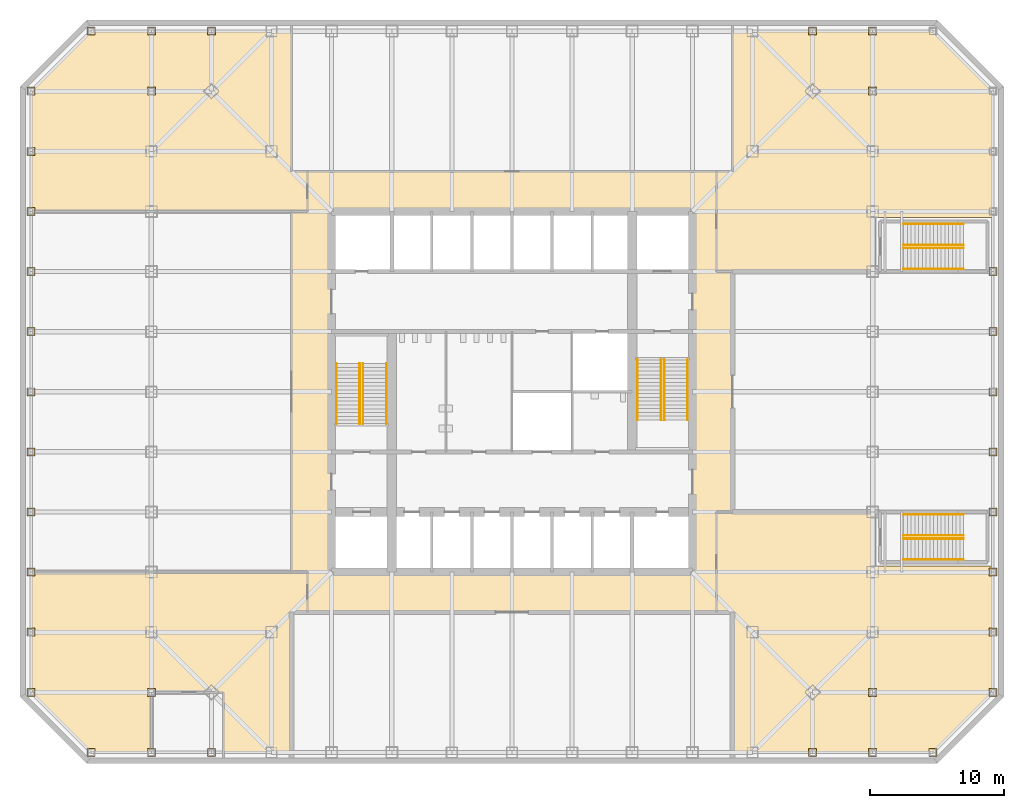
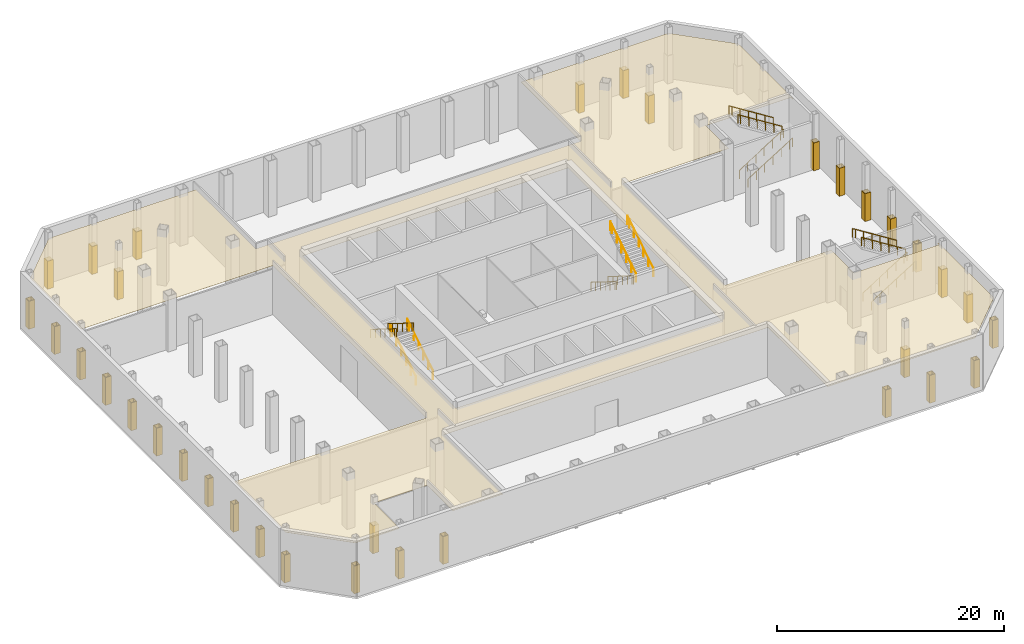
# One storey, part 10 of 12: 35 coverings, 16 railings.
"""IFC4 building model written with IfcOpenShell, lengths in metres."""

from ifc_helpers import new_model, si_unit, direction, frame, origin, origin_2d, place, context, subcontext, project, spatial, polyline, circle, outline, extrude, material, layer, layer_set, type_object, element, save


model = new_model("IFC4")

# Units and contexts
model_context = context("Model", 3, precision=1e-05, world=origin(), true_north=direction((0.0, 1.0)))
body_context = subcontext(model_context, "Body", "Model", "MODEL_VIEW")
ifc_project = project(units=[si_unit("LENGTHUNIT", "METRE"), si_unit("AREAUNIT", "SQUARE_METRE"), si_unit("VOLUMEUNIT", "CUBIC_METRE"), si_unit("PLANEANGLEUNIT", "RADIAN"), si_unit("MASSUNIT", "GRAM", prefix="KILO")], contexts=[model_context])

# Site, building, storey
site_placement = place(None, origin())
site = spatial("IfcSite", under=ifc_project, at=site_placement, CompositionType="ELEMENT")
building_placement = place(site_placement, origin())
building = spatial("IfcBuilding", under=site, at=building_placement, Name="Corais Broadcast Tower", CompositionType="ELEMENT")
storey_placement = place(building_placement, frame((0.0, 0.0, 6.0)))
storey = spatial("IfcBuildingStorey", under=building, at=storey_placement, Name="L01", CompositionType="ELEMENT", Elevation=6.0)

# Railings
ifc_material_1 = material(Name="Stainless steel handrail", Category="steel")
railing_type = type_object("IfcRailingType", Name="Handrail 920", PredefinedType="HANDRAIL", material=ifc_material_1)
for number, where, name in (
    (1, (17.60009765625, 24.60009765625, 0.176513671875), "HR1 L01"),
    (2, (15.85009765625, 24.60009765625, 0.176513671875), "HR1 L01"),
):
    element("IfcRailing", number, at=place(storey_placement, frame(where)), inside=storey, type_object=railing_type, Name=name, PredefinedType="HANDRAIL", context=body_context, shape_type="SweptSolid", body=[
        extrude(circle(Radius=0.02392578125, at=origin_2d()), frame((0.0, 0.0, 0.89599609375), z_axis=(0.0, 0.847701827889, 0.530473006847), x_axis=(-1.0, 0.0, 0.0)), (0.0, 0.0, 1.0), 5.322509765625),
        extrude(circle(Radius=0.02099609375, at=origin_2d()), origin(), (0.0, 0.0, 1.0), 0.871826171875),
        extrude(circle(Radius=0.02099609375, at=origin_2d()), frame((0.0, 0.845947265625, 0.529296875)), (0.0, 0.0, 1.0), 0.871826171875),
        extrude(circle(Radius=0.02099609375, at=origin_2d()), frame((0.0, 1.69189453125, 1.058837890625)), (0.0, 0.0, 1.0), 0.871826171875),
        extrude(circle(Radius=0.02099609375, at=origin_2d()), frame((0.0, 2.5380859375, 1.588134765625)), (0.0, 0.0, 1.0), 0.871826171875),
        extrude(circle(Radius=0.02099609375, at=origin_2d()), frame((0.0, 3.384033203125, 2.11767578125)), (0.0, 0.0, 1.0), 0.871826171875),
        extrude(circle(Radius=0.02099609375, at=origin_2d()), frame((0.0, 4.22998046875, 2.64697265625)), (0.0, 0.0, 1.0), 0.871826171875),
        extrude(circle(Radius=0.02099609375, at=origin_2d()), frame((0.0, 4.511962890625, 2.823486328125)), (0.0, 0.0, 1.0), 0.871826171875),
    ])
for number, where, name in (
    (3, (13.85009765625, 29.112060546875, 3.176513671875), "HR1 L01"),
    (4, (15.60009765625, 29.112060546875, 3.176513671875), "HR1 L01"),
    (5, (36.39990234375, 29.39990234375, 0.176513671875), "HR1 L01"),
    (6, (38.14990234375, 29.39990234375, 0.176513671875), "HR1 L01"),
):
    element("IfcRailing", number, at=place(storey_placement, frame(where)), inside=storey, type_object=railing_type, Name=name, PredefinedType="HANDRAIL", context=body_context, shape_type="SweptSolid", body=[
        extrude(circle(Radius=0.02392578125, at=origin_2d()), frame((0.0, 0.0, 0.89599609375), z_axis=(0.0, -0.847701827889, 0.530473006847), x_axis=(1.0, 0.0, 0.0)), (0.0, 0.0, 1.0), 5.322509765625),
        extrude(circle(Radius=0.02099609375, at=origin_2d()), origin(), (0.0, 0.0, 1.0), 0.871826171875),
        extrude(circle(Radius=0.02099609375, at=origin_2d()), frame((0.0, -0.845947265625, 0.529296875)), (0.0, 0.0, 1.0), 0.871826171875),
        extrude(circle(Radius=0.02099609375, at=origin_2d()), frame((0.0, -1.69189453125, 1.058837890625)), (0.0, 0.0, 1.0), 0.871826171875),
        extrude(circle(Radius=0.02099609375, at=origin_2d()), frame((0.0, -2.5380859375, 1.588134765625)), (0.0, 0.0, 1.0), 0.871826171875),
        extrude(circle(Radius=0.02099609375, at=origin_2d()), frame((0.0, -3.384033203125, 2.11767578125)), (0.0, 0.0, 1.0), 0.871826171875),
        extrude(circle(Radius=0.02099609375, at=origin_2d()), frame((0.0, -4.22998046875, 2.64697265625)), (0.0, 0.0, 1.0), 0.871826171875),
        extrude(circle(Radius=0.02099609375, at=origin_2d()), frame((0.0, -4.511962890625, 2.823486328125)), (0.0, 0.0, 1.0), 0.871826171875),
    ])
for number, where, name in (
    (7, (40.14990234375, 24.887939453125, 3.176513671875), "HR1 L01"),
    (8, (38.39990234375, 24.887939453125, 3.176513671875), "HR1 L01"),
):
    element("IfcRailing", number, at=place(storey_placement, frame(where)), inside=storey, type_object=railing_type, Name=name, PredefinedType="HANDRAIL", context=body_context, shape_type="SweptSolid", body=[
        extrude(circle(Radius=0.02392578125, at=origin_2d()), frame((0.0, 0.0, 0.89599609375), z_axis=(0.0, 0.847701827889, 0.530473006847), x_axis=(-1.0, 0.0, 0.0)), (0.0, 0.0, 1.0), 5.322509765625),
        extrude(circle(Radius=0.02099609375, at=origin_2d()), origin(), (0.0, 0.0, 1.0), 0.871826171875),
        extrude(circle(Radius=0.02099609375, at=origin_2d()), frame((0.0, 0.845947265625, 0.529296875)), (0.0, 0.0, 1.0), 0.871826171875),
        extrude(circle(Radius=0.02099609375, at=origin_2d()), frame((0.0, 1.69189453125, 1.058837890625)), (0.0, 0.0, 1.0), 0.871826171875),
        extrude(circle(Radius=0.02099609375, at=origin_2d()), frame((0.0, 2.5380859375, 1.588134765625)), (0.0, 0.0, 1.0), 0.871826171875),
        extrude(circle(Radius=0.02099609375, at=origin_2d()), frame((0.0, 3.384033203125, 2.11767578125)), (0.0, 0.0, 1.0), 0.871826171875),
        extrude(circle(Radius=0.02099609375, at=origin_2d()), frame((0.0, 4.22998046875, 2.64697265625)), (0.0, 0.0, 1.0), 0.871826171875),
        extrude(circle(Radius=0.02099609375, at=origin_2d()), frame((0.0, 4.511962890625, 2.823486328125)), (0.0, 0.0, 1.0), 0.871826171875),
    ])
for number, where, name in (
    (9, (56.324951171875, 14.449951171875, 0.176513671875), "HR1 L01"),
    (10, (56.324951171875, 16.0, 0.176513671875), "HR1 L01"),
):
    element("IfcRailing", number, at=place(storey_placement, frame(where)), inside=storey, type_object=railing_type, Name=name, PredefinedType="HANDRAIL", context=body_context, shape_type="SweptSolid", body=[
        extrude(circle(Radius=0.02392578125, at=origin_2d()), frame((0.0, 0.0, 0.89599609375), z_axis=(0.845997938375, 0.0, 0.533186166611), x_axis=(0.0, 1.0, 0.0)), (0.0, 0.0, 1.0), 5.29541015625),
        extrude(circle(Radius=0.02099609375, at=origin_2d()), origin(), (0.0, 0.0, 1.0), 0.871826171875),
        extrude(circle(Radius=0.02099609375, at=origin_2d()), frame((0.840087890625, 0.0, 0.529296875)), (0.0, 0.0, 1.0), 0.871826171875),
        extrude(circle(Radius=0.02099609375, at=origin_2d()), frame((1.679931640625, 0.0, 1.058837890625)), (0.0, 0.0, 1.0), 0.871826171875),
        extrude(circle(Radius=0.02099609375, at=origin_2d()), frame((2.52001953125, 0.0, 1.588134765625)), (0.0, 0.0, 1.0), 0.871826171875),
        extrude(circle(Radius=0.02099609375, at=origin_2d()), frame((3.35986328125, 0.0, 2.11767578125)), (0.0, 0.0, 1.0), 0.871826171875),
        extrude(circle(Radius=0.02099609375, at=origin_2d()), frame((4.199951171875, 0.0, 2.64697265625)), (0.0, 0.0, 1.0), 0.871826171875),
        extrude(circle(Radius=0.02099609375, at=origin_2d()), frame((4.47998046875, 0.0, 2.823486328125)), (0.0, 0.0, 1.0), 0.871826171875),
    ])
for number, where, name in (
    (11, (60.804931640625, 17.800048828125, 3.176513671875), "HR1 L01"),
    (12, (60.804931640625, 16.25, 3.176513671875), "HR1 L01"),
):
    element("IfcRailing", number, at=place(storey_placement, frame(where)), inside=storey, type_object=railing_type, Name=name, PredefinedType="HANDRAIL", context=body_context, shape_type="SweptSolid", body=[
        extrude(circle(Radius=0.02392578125, at=origin_2d()), frame((0.0, 0.0, 0.89599609375), z_axis=(-0.845997938375, 0.0, 0.533186166611), x_axis=(0.0, -1.0, 0.0)), (0.0, 0.0, 1.0), 5.29541015625),
        extrude(circle(Radius=0.02099609375, at=origin_2d()), origin(), (0.0, 0.0, 1.0), 0.871826171875),
        extrude(circle(Radius=0.02099609375, at=origin_2d()), frame((-0.840087890625, 0.0, 0.529296875)), (0.0, 0.0, 1.0), 0.871826171875),
        extrude(circle(Radius=0.02099609375, at=origin_2d()), frame((-1.679931640625, 0.0, 1.058837890625)), (0.0, 0.0, 1.0), 0.871826171875),
        extrude(circle(Radius=0.02099609375, at=origin_2d()), frame((-2.52001953125, 0.0, 1.588134765625)), (0.0, 0.0, 1.0), 0.871826171875),
        extrude(circle(Radius=0.02099609375, at=origin_2d()), frame((-3.35986328125, 0.0, 2.11767578125)), (0.0, 0.0, 1.0), 0.871826171875),
        extrude(circle(Radius=0.02099609375, at=origin_2d()), frame((-4.199951171875, 0.0, 2.64697265625)), (0.0, 0.0, 1.0), 0.871826171875),
        extrude(circle(Radius=0.02099609375, at=origin_2d()), frame((-4.47998046875, 0.0, 2.823486328125)), (0.0, 0.0, 1.0), 0.871826171875),
    ])
for number, where, name in (
    (13, (56.324951171875, 36.199951171875, 0.176513671875), "HR1 L01"),
    (14, (56.324951171875, 37.75, 0.176513671875), "HR1 L01"),
):
    element("IfcRailing", number, at=place(storey_placement, frame(where)), inside=storey, type_object=railing_type, Name=name, PredefinedType="HANDRAIL", context=body_context, shape_type="SweptSolid", body=[
        extrude(circle(Radius=0.02392578125, at=origin_2d()), frame((0.0, 0.0, 0.89599609375), z_axis=(0.845997938375, 0.0, 0.533186166611), x_axis=(0.0, 1.0, 0.0)), (0.0, 0.0, 1.0), 5.29541015625),
        extrude(circle(Radius=0.02099609375, at=origin_2d()), origin(), (0.0, 0.0, 1.0), 0.871826171875),
        extrude(circle(Radius=0.02099609375, at=origin_2d()), frame((0.840087890625, 0.0, 0.529296875)), (0.0, 0.0, 1.0), 0.871826171875),
        extrude(circle(Radius=0.02099609375, at=origin_2d()), frame((1.679931640625, 0.0, 1.058837890625)), (0.0, 0.0, 1.0), 0.871826171875),
        extrude(circle(Radius=0.02099609375, at=origin_2d()), frame((2.52001953125, 0.0, 1.588134765625)), (0.0, 0.0, 1.0), 0.871826171875),
        extrude(circle(Radius=0.02099609375, at=origin_2d()), frame((3.35986328125, 0.0, 2.11767578125)), (0.0, 0.0, 1.0), 0.871826171875),
        extrude(circle(Radius=0.02099609375, at=origin_2d()), frame((4.199951171875, 0.0, 2.64697265625)), (0.0, 0.0, 1.0), 0.871826171875),
        extrude(circle(Radius=0.02099609375, at=origin_2d()), frame((4.47998046875, 0.0, 2.823486328125)), (0.0, 0.0, 1.0), 0.871826171875),
    ])
for number, where, name in (
    (15, (60.804931640625, 39.550048828125, 3.176513671875), "HR1 L01"),
    (16, (60.804931640625, 38.0, 3.176513671875), "HR1 L01"),
):
    element("IfcRailing", number, at=place(storey_placement, frame(where)), inside=storey, type_object=railing_type, Name=name, PredefinedType="HANDRAIL", context=body_context, shape_type="SweptSolid", body=[
        extrude(circle(Radius=0.02392578125, at=origin_2d()), frame((0.0, 0.0, 0.89599609375), z_axis=(-0.845997938375, 0.0, 0.533186166611), x_axis=(0.0, -1.0, 0.0)), (0.0, 0.0, 1.0), 5.29541015625),
        extrude(circle(Radius=0.02099609375, at=origin_2d()), origin(), (0.0, 0.0, 1.0), 0.871826171875),
        extrude(circle(Radius=0.02099609375, at=origin_2d()), frame((-0.840087890625, 0.0, 0.529296875)), (0.0, 0.0, 1.0), 0.871826171875),
        extrude(circle(Radius=0.02099609375, at=origin_2d()), frame((-1.679931640625, 0.0, 1.058837890625)), (0.0, 0.0, 1.0), 0.871826171875),
        extrude(circle(Radius=0.02099609375, at=origin_2d()), frame((-2.52001953125, 0.0, 1.588134765625)), (0.0, 0.0, 1.0), 0.871826171875),
        extrude(circle(Radius=0.02099609375, at=origin_2d()), frame((-3.35986328125, 0.0, 2.11767578125)), (0.0, 0.0, 1.0), 0.871826171875),
        extrude(circle(Radius=0.02099609375, at=origin_2d()), frame((-4.199951171875, 0.0, 2.64697265625)), (0.0, 0.0, 1.0), 0.871826171875),
        extrude(circle(Radius=0.02099609375, at=origin_2d()), frame((-4.47998046875, 0.0, 2.823486328125)), (0.0, 0.0, 1.0), 0.871826171875),
    ])

# Coverings
ifc_material_2 = material(Name="Granite stone cladding", Category="masonry")
ifc_layer_1 = layer(ifc_material_2, 0.050048828125)
ifc_layer_set_1 = layer_set([ifc_layer_1], Name="Granite stone cladding")
covering_type_1 = type_object("IfcCoveringType", Name="Pier cladding", PredefinedType="CLADDING", material=ifc_layer_set_1)
covering_1_placement = place(storey_placement, origin())
element("IfcCovering", 17, at=covering_1_placement, inside=storey, type_object=covering_type_1, Name="PC pier cladding L01", PredefinedType="CLADDING", context=body_context, shape_type="SweptSolid", body=[
    extrude(outline(polyline([(-9.300048828125, 4.199951171875), (-8.699951171875, 4.199951171875), (-8.699951171875, 4.800048828125), (-9.300048828125, 4.800048828125), (-9.300048828125, 4.199951171875)]), holes=[polyline([(-9.25, 4.25), (-8.75, 4.25), (-8.75, 4.75), (-9.25, 4.75), (-9.25, 4.25)])]), origin(), (0.0, 0.0, 1.0), 3.0),
])
covering_2_placement = place(storey_placement, origin())
element("IfcCovering", 18, at=covering_2_placement, inside=storey, type_object=covering_type_1, Name="PC pier cladding L01", PredefinedType="CLADDING", context=body_context, shape_type="SweptSolid", body=[
    extrude(outline(polyline([(62.699951171875, 4.199951171875), (63.300048828125, 4.199951171875), (63.300048828125, 4.800048828125), (62.699951171875, 4.800048828125), (62.699951171875, 4.199951171875)]), holes=[polyline([(62.75, 4.25), (63.25, 4.25), (63.25, 4.75), (62.75, 4.75), (62.75, 4.25)])]), origin(), (0.0, 0.0, 1.0), 3.0),
])
covering_3_placement = place(storey_placement, origin())
element("IfcCovering", 19, at=covering_3_placement, inside=storey, type_object=covering_type_1, Name="PC pier cladding L01", PredefinedType="CLADDING", context=body_context, shape_type="SweptSolid", body=[
    extrude(outline(polyline([(-9.300048828125, 8.699951171875), (-8.699951171875, 8.699951171875), (-8.699951171875, 9.300048828125), (-9.300048828125, 9.300048828125), (-9.300048828125, 8.699951171875)]), holes=[polyline([(-9.25, 8.75), (-8.75, 8.75), (-8.75, 9.25), (-9.25, 9.25), (-9.25, 8.75)])]), origin(), (0.0, 0.0, 1.0), 3.0),
])
covering_4_placement = place(storey_placement, origin())
element("IfcCovering", 20, at=covering_4_placement, inside=storey, type_object=covering_type_1, Name="PC pier cladding L01", PredefinedType="CLADDING", context=body_context, shape_type="SweptSolid", body=[
    extrude(outline(polyline([(62.699951171875, 8.699951171875), (63.300048828125, 8.699951171875), (63.300048828125, 9.300048828125), (62.699951171875, 9.300048828125), (62.699951171875, 8.699951171875)]), holes=[polyline([(62.75, 8.75), (63.25, 8.75), (63.25, 9.25), (62.75, 9.25), (62.75, 8.75)])]), origin(), (0.0, 0.0, 1.0), 3.0),
])
covering_5_placement = place(storey_placement, origin())
element("IfcCovering", 21, at=covering_5_placement, inside=storey, type_object=covering_type_1, Name="PC pier cladding L01", PredefinedType="CLADDING", context=body_context, shape_type="SweptSolid", body=[
    extrude(outline(polyline([(-9.300048828125, 13.199951171875), (-8.699951171875, 13.199951171875), (-8.699951171875, 13.800048828125), (-9.300048828125, 13.800048828125), (-9.300048828125, 13.199951171875)]), holes=[polyline([(-9.25, 13.25), (-8.75, 13.25), (-8.75, 13.75), (-9.25, 13.75), (-9.25, 13.25)])]), origin(), (0.0, 0.0, 1.0), 3.0),
])
covering_6_placement = place(storey_placement, origin())
element("IfcCovering", 22, at=covering_6_placement, inside=storey, type_object=covering_type_1, Name="PC pier cladding L01", PredefinedType="CLADDING", context=body_context, shape_type="SweptSolid", body=[
    extrude(outline(polyline([(62.699951171875, 13.199951171875), (63.300048828125, 13.199951171875), (63.300048828125, 13.800048828125), (62.699951171875, 13.800048828125), (62.699951171875, 13.199951171875)]), holes=[polyline([(62.75, 13.25), (63.25, 13.25), (63.25, 13.75), (62.75, 13.75), (62.75, 13.25)])]), origin(), (0.0, 0.0, 1.0), 3.0),
])
covering_7_placement = place(storey_placement, origin())
element("IfcCovering", 23, at=covering_7_placement, inside=storey, type_object=covering_type_1, Name="PC pier cladding L01", PredefinedType="CLADDING", context=body_context, shape_type="SweptSolid", body=[
    extrude(outline(polyline([(-9.300048828125, 17.699951171875), (-8.699951171875, 17.699951171875), (-8.699951171875, 18.300048828125), (-9.300048828125, 18.300048828125), (-9.300048828125, 17.699951171875)]), holes=[polyline([(-9.25, 17.75), (-8.75, 17.75), (-8.75, 18.25), (-9.25, 18.25), (-9.25, 17.75)])]), origin(), (0.0, 0.0, 1.0), 3.0),
])
covering_8_placement = place(storey_placement, origin())
element("IfcCovering", 24, at=covering_8_placement, inside=storey, type_object=covering_type_1, Name="PC pier cladding L01", PredefinedType="CLADDING", context=body_context, shape_type="SweptSolid", body=[
    extrude(outline(polyline([(62.699951171875, 17.699951171875), (63.300048828125, 17.699951171875), (63.300048828125, 18.300048828125), (62.699951171875, 18.300048828125), (62.699951171875, 17.699951171875)]), holes=[polyline([(62.75, 17.75), (63.25, 17.75), (63.25, 18.25), (62.75, 18.25), (62.75, 17.75)])]), origin(), (0.0, 0.0, 1.0), 3.0),
])
covering_9_placement = place(storey_placement, origin())
element("IfcCovering", 25, at=covering_9_placement, inside=storey, type_object=covering_type_1, Name="PC pier cladding L01", PredefinedType="CLADDING", context=body_context, shape_type="SweptSolid", body=[
    extrude(outline(polyline([(-9.300048828125, 22.199951171875), (-8.699951171875, 22.199951171875), (-8.699951171875, 22.800048828125), (-9.300048828125, 22.800048828125), (-9.300048828125, 22.199951171875)]), holes=[polyline([(-9.25, 22.25), (-8.75, 22.25), (-8.75, 22.75), (-9.25, 22.75), (-9.25, 22.25)])]), origin(), (0.0, 0.0, 1.0), 3.0),
])
covering_10_placement = place(storey_placement, origin())
element("IfcCovering", 26, at=covering_10_placement, inside=storey, type_object=covering_type_1, Name="PC pier cladding L01", PredefinedType="CLADDING", context=body_context, shape_type="SweptSolid", body=[
    extrude(outline(polyline([(62.699951171875, 22.199951171875), (63.300048828125, 22.199951171875), (63.300048828125, 22.800048828125), (62.699951171875, 22.800048828125), (62.699951171875, 22.199951171875)]), holes=[polyline([(62.75, 22.25), (63.25, 22.25), (63.25, 22.75), (62.75, 22.75), (62.75, 22.25)])]), origin(), (0.0, 0.0, 1.0), 3.0),
])
covering_11_placement = place(storey_placement, origin())
element("IfcCovering", 27, at=covering_11_placement, inside=storey, type_object=covering_type_1, Name="PC pier cladding L01", PredefinedType="CLADDING", context=body_context, shape_type="SweptSolid", body=[
    extrude(outline(polyline([(-9.300048828125, 26.699951171875), (-8.699951171875, 26.699951171875), (-8.699951171875, 27.300048828125), (-9.300048828125, 27.300048828125), (-9.300048828125, 26.699951171875)]), holes=[polyline([(-9.25, 26.75), (-8.75, 26.75), (-8.75, 27.25), (-9.25, 27.25), (-9.25, 26.75)])]), origin(), (0.0, 0.0, 1.0), 3.0),
])
covering_12_placement = place(storey_placement, origin())
element("IfcCovering", 28, at=covering_12_placement, inside=storey, type_object=covering_type_1, Name="PC pier cladding L01", PredefinedType="CLADDING", context=body_context, shape_type="SweptSolid", body=[
    extrude(outline(polyline([(62.699951171875, 26.699951171875), (63.300048828125, 26.699951171875), (63.300048828125, 27.300048828125), (62.699951171875, 27.300048828125), (62.699951171875, 26.699951171875)]), holes=[polyline([(62.75, 26.75), (63.25, 26.75), (63.25, 27.25), (62.75, 27.25), (62.75, 26.75)])]), origin(), (0.0, 0.0, 1.0), 3.0),
])
covering_13_placement = place(storey_placement, origin())
element("IfcCovering", 29, at=covering_13_placement, inside=storey, type_object=covering_type_1, Name="PC pier cladding L01", PredefinedType="CLADDING", context=body_context, shape_type="SweptSolid", body=[
    extrude(outline(polyline([(-9.300048828125, 31.199951171875), (-8.699951171875, 31.199951171875), (-8.699951171875, 31.800048828125), (-9.300048828125, 31.800048828125), (-9.300048828125, 31.199951171875)]), holes=[polyline([(-9.25, 31.25), (-8.75, 31.25), (-8.75, 31.75), (-9.25, 31.75), (-9.25, 31.25)])]), origin(), (0.0, 0.0, 1.0), 3.0),
])
covering_14_placement = place(storey_placement, origin())
element("IfcCovering", 30, at=covering_14_placement, inside=storey, type_object=covering_type_1, Name="PC pier cladding L01", PredefinedType="CLADDING", context=body_context, shape_type="SweptSolid", body=[
    extrude(outline(polyline([(62.699951171875, 31.199951171875), (63.300048828125, 31.199951171875), (63.300048828125, 31.800048828125), (62.699951171875, 31.800048828125), (62.699951171875, 31.199951171875)]), holes=[polyline([(62.75, 31.25), (63.25, 31.25), (63.25, 31.75), (62.75, 31.75), (62.75, 31.25)])]), origin(), (0.0, 0.0, 1.0), 3.0),
])
covering_15_placement = place(storey_placement, origin())
element("IfcCovering", 31, at=covering_15_placement, inside=storey, type_object=covering_type_1, Name="PC pier cladding L01", PredefinedType="CLADDING", context=body_context, shape_type="SweptSolid", body=[
    extrude(outline(polyline([(-9.300048828125, 35.699951171875), (-8.699951171875, 35.699951171875), (-8.699951171875, 36.300048828125), (-9.300048828125, 36.300048828125), (-9.300048828125, 35.699951171875)]), holes=[polyline([(-9.25, 35.75), (-8.75, 35.75), (-8.75, 36.25), (-9.25, 36.25), (-9.25, 35.75)])]), origin(), (0.0, 0.0, 1.0), 3.0),
])
covering_16_placement = place(storey_placement, origin())
element("IfcCovering", 32, at=covering_16_placement, inside=storey, type_object=covering_type_1, Name="PC pier cladding L01", PredefinedType="CLADDING", context=body_context, shape_type="SweptSolid", body=[
    extrude(outline(polyline([(62.699951171875, 35.699951171875), (63.300048828125, 35.699951171875), (63.300048828125, 36.300048828125), (62.699951171875, 36.300048828125), (62.699951171875, 35.699951171875)]), holes=[polyline([(62.75, 35.75), (63.25, 35.75), (63.25, 36.25), (62.75, 36.25), (62.75, 35.75)])]), origin(), (0.0, 0.0, 1.0), 3.0),
])
covering_17_placement = place(storey_placement, origin())
element("IfcCovering", 33, at=covering_17_placement, inside=storey, type_object=covering_type_1, Name="PC pier cladding L01", PredefinedType="CLADDING", context=body_context, shape_type="SweptSolid", body=[
    extrude(outline(polyline([(-9.300048828125, 40.199951171875), (-8.699951171875, 40.199951171875), (-8.699951171875, 40.800048828125), (-9.300048828125, 40.800048828125), (-9.300048828125, 40.199951171875)]), holes=[polyline([(-9.25, 40.25), (-8.75, 40.25), (-8.75, 40.75), (-9.25, 40.75), (-9.25, 40.25)])]), origin(), (0.0, 0.0, 1.0), 3.0),
])
covering_18_placement = place(storey_placement, origin())
element("IfcCovering", 34, at=covering_18_placement, inside=storey, type_object=covering_type_1, Name="PC pier cladding L01", PredefinedType="CLADDING", context=body_context, shape_type="SweptSolid", body=[
    extrude(outline(polyline([(-9.300048828125, 44.699951171875), (-8.699951171875, 44.699951171875), (-8.699951171875, 45.300048828125), (-9.300048828125, 45.300048828125), (-9.300048828125, 44.699951171875)]), holes=[polyline([(-9.25, 44.75), (-8.75, 44.75), (-8.75, 45.25), (-9.25, 45.25), (-9.25, 44.75)])]), origin(), (0.0, 0.0, 1.0), 3.0),
])
covering_19_placement = place(storey_placement, origin())
element("IfcCovering", 35, at=covering_19_placement, inside=storey, type_object=covering_type_1, Name="PC pier cladding L01", PredefinedType="CLADDING", context=body_context, shape_type="SweptSolid", body=[
    extrude(outline(polyline([(-9.300048828125, 49.199951171875), (-8.699951171875, 49.199951171875), (-8.699951171875, 49.800048828125), (-9.300048828125, 49.800048828125), (-9.300048828125, 49.199951171875)]), holes=[polyline([(-9.25, 49.25), (-8.75, 49.25), (-8.75, 49.75), (-9.25, 49.75), (-9.25, 49.25)])]), origin(), (0.0, 0.0, 1.0), 3.0),
])
covering_20_placement = place(storey_placement, origin())
element("IfcCovering", 36, at=covering_20_placement, inside=storey, type_object=covering_type_1, Name="PC pier cladding L01", PredefinedType="CLADDING", context=body_context, shape_type="SweptSolid", body=[
    extrude(outline(polyline([(-4.800048828125, -0.300048828125), (-4.199951171875, -0.300048828125), (-4.199951171875, 0.300048828125), (-4.800048828125, 0.300048828125), (-4.800048828125, -0.300048828125)]), holes=[polyline([(-4.75, -0.25), (-4.25, -0.25), (-4.25, 0.25), (-4.75, 0.25), (-4.75, -0.25)])]), origin(), (0.0, 0.0, 1.0), 3.0),
])
covering_21_placement = place(storey_placement, origin())
element("IfcCovering", 37, at=covering_21_placement, inside=storey, type_object=covering_type_1, Name="PC pier cladding L01", PredefinedType="CLADDING", context=body_context, shape_type="SweptSolid", body=[
    extrude(outline(polyline([(-4.800048828125, 53.699951171875), (-4.199951171875, 53.699951171875), (-4.199951171875, 54.300048828125), (-4.800048828125, 54.300048828125), (-4.800048828125, 53.699951171875)]), holes=[polyline([(-4.75, 53.75), (-4.25, 53.75), (-4.25, 54.25), (-4.75, 54.25), (-4.75, 53.75)])]), origin(), (0.0, 0.0, 1.0), 3.0),
])
covering_22_placement = place(storey_placement, origin())
element("IfcCovering", 38, at=covering_22_placement, inside=storey, type_object=covering_type_1, Name="PC pier cladding L01", PredefinedType="CLADDING", context=body_context, shape_type="SweptSolid", body=[
    extrude(outline(polyline([(58.199951171875, -0.300048828125), (58.800048828125, -0.300048828125), (58.800048828125, 0.300048828125), (58.199951171875, 0.300048828125), (58.199951171875, -0.300048828125)]), holes=[polyline([(58.25, -0.25), (58.75, -0.25), (58.75, 0.25), (58.25, 0.25), (58.25, -0.25)])]), origin(), (0.0, 0.0, 1.0), 3.0),
])
covering_23_placement = place(storey_placement, origin())
element("IfcCovering", 39, at=covering_23_placement, inside=storey, type_object=covering_type_1, Name="PC pier cladding L01", PredefinedType="CLADDING", context=body_context, shape_type="SweptSolid", body=[
    extrude(outline(polyline([(-0.300048828125, -0.300048828125), (0.300048828125, -0.300048828125), (0.300048828125, 0.300048828125), (-0.300048828125, 0.300048828125), (-0.300048828125, -0.300048828125)]), holes=[polyline([(-0.25, -0.25), (0.25, -0.25), (0.25, 0.25), (-0.25, 0.25), (-0.25, -0.25)])]), origin(), (0.0, 0.0, 1.0), 3.0),
])
covering_24_placement = place(storey_placement, origin())
element("IfcCovering", 40, at=covering_24_placement, inside=storey, type_object=covering_type_1, Name="PC pier cladding L01", PredefinedType="CLADDING", context=body_context, shape_type="SweptSolid", body=[
    extrude(outline(polyline([(4.199951171875, -0.300048828125), (4.800048828125, -0.300048828125), (4.800048828125, 0.300048828125), (4.199951171875, 0.300048828125), (4.199951171875, -0.300048828125)]), holes=[polyline([(4.25, -0.25), (4.75, -0.25), (4.75, 0.25), (4.25, 0.25), (4.25, -0.25)])]), origin(), (0.0, 0.0, 1.0), 3.0),
])
covering_25_placement = place(storey_placement, origin())
element("IfcCovering", 41, at=covering_25_placement, inside=storey, type_object=covering_type_1, Name="PC pier cladding L01", PredefinedType="CLADDING", context=body_context, shape_type="SweptSolid", body=[
    extrude(outline(polyline([(-0.300048828125, 4.199951171875), (0.300048828125, 4.199951171875), (0.300048828125, 4.800048828125), (-0.300048828125, 4.800048828125), (-0.300048828125, 4.199951171875)]), holes=[polyline([(-0.25, 4.25), (0.25, 4.25), (0.25, 4.75), (-0.25, 4.75), (-0.25, 4.25)])]), origin(), (0.0, 0.0, 1.0), 3.0),
])
covering_26_placement = place(storey_placement, origin())
element("IfcCovering", 42, at=covering_26_placement, inside=storey, type_object=covering_type_1, Name="PC pier cladding L01", PredefinedType="CLADDING", context=body_context, shape_type="SweptSolid", body=[
    extrude(outline(polyline([(53.699951171875, -0.300048828125), (54.300048828125, -0.300048828125), (54.300048828125, 0.300048828125), (53.699951171875, 0.300048828125), (53.699951171875, -0.300048828125)]), holes=[polyline([(53.75, -0.25), (54.25, -0.25), (54.25, 0.25), (53.75, 0.25), (53.75, -0.25)])]), origin(), (0.0, 0.0, 1.0), 3.0),
])
covering_27_placement = place(storey_placement, origin())
element("IfcCovering", 43, at=covering_27_placement, inside=storey, type_object=covering_type_1, Name="PC pier cladding L01", PredefinedType="CLADDING", context=body_context, shape_type="SweptSolid", body=[
    extrude(outline(polyline([(49.199951171875, -0.300048828125), (49.800048828125, -0.300048828125), (49.800048828125, 0.300048828125), (49.199951171875, 0.300048828125), (49.199951171875, -0.300048828125)]), holes=[polyline([(49.25, -0.25), (49.75, -0.25), (49.75, 0.25), (49.25, 0.25), (49.25, -0.25)])]), origin(), (0.0, 0.0, 1.0), 3.0),
])
covering_28_placement = place(storey_placement, origin())
element("IfcCovering", 44, at=covering_28_placement, inside=storey, type_object=covering_type_1, Name="PC pier cladding L01", PredefinedType="CLADDING", context=body_context, shape_type="SweptSolid", body=[
    extrude(outline(polyline([(53.699951171875, 4.199951171875), (54.300048828125, 4.199951171875), (54.300048828125, 4.800048828125), (53.699951171875, 4.800048828125), (53.699951171875, 4.199951171875)]), holes=[polyline([(53.75, 4.25), (54.25, 4.25), (54.25, 4.75), (53.75, 4.75), (53.75, 4.25)])]), origin(), (0.0, 0.0, 1.0), 3.0),
])
covering_29_placement = place(storey_placement, origin())
element("IfcCovering", 45, at=covering_29_placement, inside=storey, type_object=covering_type_1, Name="PC pier cladding L01", PredefinedType="CLADDING", context=body_context, shape_type="SweptSolid", body=[
    extrude(outline(polyline([(53.699951171875, 53.699951171875), (54.300048828125, 53.699951171875), (54.300048828125, 54.300048828125), (53.699951171875, 54.300048828125), (53.699951171875, 53.699951171875)]), holes=[polyline([(53.75, 53.75), (54.25, 53.75), (54.25, 54.25), (53.75, 54.25), (53.75, 53.75)])]), origin(), (0.0, 0.0, 1.0), 3.0),
])
covering_30_placement = place(storey_placement, origin())
element("IfcCovering", 46, at=covering_30_placement, inside=storey, type_object=covering_type_1, Name="PC pier cladding L01", PredefinedType="CLADDING", context=body_context, shape_type="SweptSolid", body=[
    extrude(outline(polyline([(49.199951171875, 53.699951171875), (49.800048828125, 53.699951171875), (49.800048828125, 54.300048828125), (49.199951171875, 54.300048828125), (49.199951171875, 53.699951171875)]), holes=[polyline([(49.25, 53.75), (49.75, 53.75), (49.75, 54.25), (49.25, 54.25), (49.25, 53.75)])]), origin(), (0.0, 0.0, 1.0), 3.0),
])
covering_31_placement = place(storey_placement, origin())
element("IfcCovering", 47, at=covering_31_placement, inside=storey, type_object=covering_type_1, Name="PC pier cladding L01", PredefinedType="CLADDING", context=body_context, shape_type="SweptSolid", body=[
    extrude(outline(polyline([(53.699951171875, 49.199951171875), (54.300048828125, 49.199951171875), (54.300048828125, 49.800048828125), (53.699951171875, 49.800048828125), (53.699951171875, 49.199951171875)]), holes=[polyline([(53.75, 49.25), (54.25, 49.25), (54.25, 49.75), (53.75, 49.75), (53.75, 49.25)])]), origin(), (0.0, 0.0, 1.0), 3.0),
])
covering_32_placement = place(storey_placement, origin())
element("IfcCovering", 48, at=covering_32_placement, inside=storey, type_object=covering_type_1, Name="PC pier cladding L01", PredefinedType="CLADDING", context=body_context, shape_type="SweptSolid", body=[
    extrude(outline(polyline([(-0.300048828125, 53.699951171875), (0.300048828125, 53.699951171875), (0.300048828125, 54.300048828125), (-0.300048828125, 54.300048828125), (-0.300048828125, 53.699951171875)]), holes=[polyline([(-0.25, 53.75), (0.25, 53.75), (0.25, 54.25), (-0.25, 54.25), (-0.25, 53.75)])]), origin(), (0.0, 0.0, 1.0), 3.0),
])
covering_33_placement = place(storey_placement, origin())
element("IfcCovering", 49, at=covering_33_placement, inside=storey, type_object=covering_type_1, Name="PC pier cladding L01", PredefinedType="CLADDING", context=body_context, shape_type="SweptSolid", body=[
    extrude(outline(polyline([(4.199951171875, 53.699951171875), (4.800048828125, 53.699951171875), (4.800048828125, 54.300048828125), (4.199951171875, 54.300048828125), (4.199951171875, 53.699951171875)]), holes=[polyline([(4.25, 53.75), (4.75, 53.75), (4.75, 54.25), (4.25, 54.25), (4.25, 53.75)])]), origin(), (0.0, 0.0, 1.0), 3.0),
])
covering_34_placement = place(storey_placement, origin())
element("IfcCovering", 50, at=covering_34_placement, inside=storey, type_object=covering_type_1, Name="PC pier cladding L01", PredefinedType="CLADDING", context=body_context, shape_type="SweptSolid", body=[
    extrude(outline(polyline([(-0.300048828125, 49.199951171875), (0.300048828125, 49.199951171875), (0.300048828125, 49.800048828125), (-0.300048828125, 49.800048828125), (-0.300048828125, 49.199951171875)]), holes=[polyline([(-0.25, 49.25), (0.25, 49.25), (0.25, 49.75), (-0.25, 49.75), (-0.25, 49.25)])]), origin(), (0.0, 0.0, 1.0), 3.0),
])
ifc_material_3 = material(Name="Mineral fibre ceiling tile", Category="mineral")
ifc_layer_2 = layer(ifc_material_3, 0.02001953125)
ifc_layer_set_2 = layer_set([ifc_layer_2], Name="Mineral fibre ceiling tile")
covering_type_2 = type_object("IfcCoveringType", Name="Suspended ceiling", PredefinedType="CEILING", material=ifc_layer_set_2)
covering_35_placement = place(storey_placement, frame((0.0, 0.0, 5.179931640625)))
element("IfcCovering", 51, at=covering_35_placement, inside=storey, type_object=covering_type_2, Name="CE1 ceiling L01", PredefinedType="CEILING", context=body_context, shape_type="SweptSolid", body=[
    extrude(outline(polyline([(5.39990234375, 0.0), (5.39990234375, 4.5), (0.0, 4.5), (0.0, 0.0), (-4.5, 0.0), (-9.0, 4.5), (-9.0, 13.5), (10.5, 13.5), (10.5, 40.5), (-9.0, 40.5), (-9.0, 49.5), (-4.5, 54.0), (10.5, 54.0), (10.5, 43.5), (43.5, 43.5), (43.5, 54.0), (58.5, 54.0), (63.0, 49.5), (63.0, 39.75), (62.89990234375, 39.75), (62.89990234375, 40.050048828125), (54.25, 40.050048828125), (54.25, 36.0), (43.5, 36.0), (43.5, 18.0), (54.25, 18.0), (54.25, 13.949951171875), (62.89990234375, 13.949951171875), (62.89990234375, 14.25), (63.0, 14.25), (63.0, 4.5), (58.5, 0.0), (43.5, 0.0), (43.5, 10.5), (10.5, 10.5), (10.5, 0.0), (5.39990234375, 0.0)]), holes=[polyline([(40.5, 40.5), (13.5, 40.5), (13.5, 13.5), (40.5, 13.5), (40.5, 40.5)])]), origin(), (0.0, 0.0, 1.0), 0.02001953125),
])

save(model, "model.ifc")
